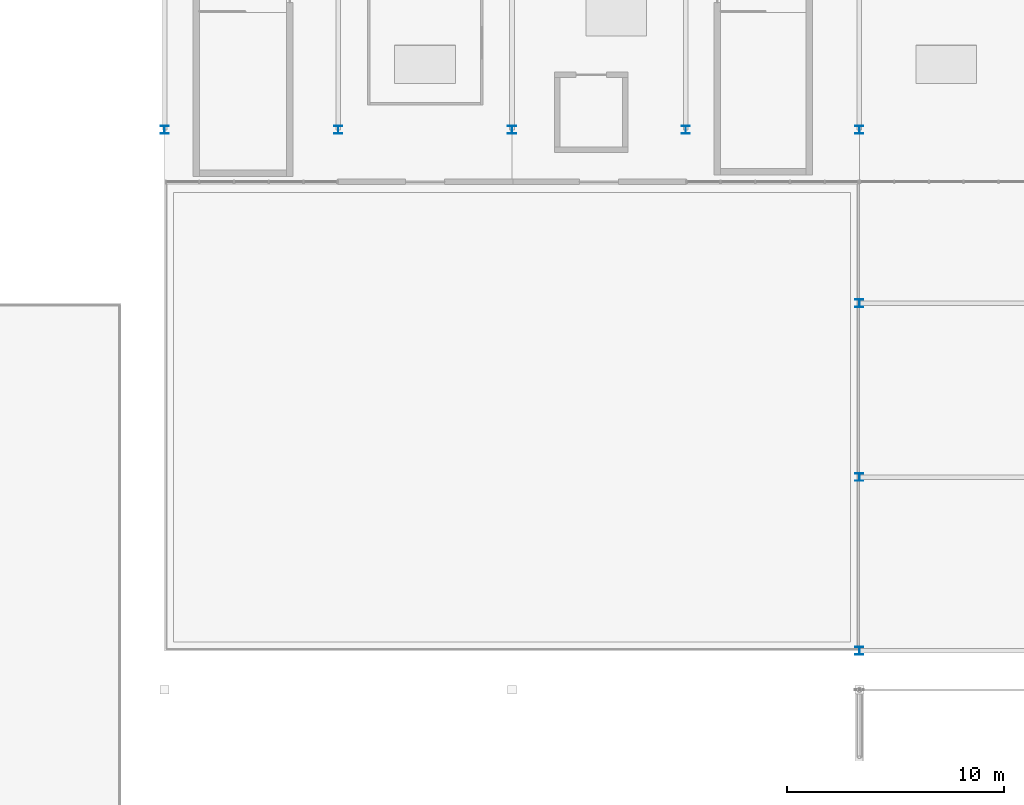
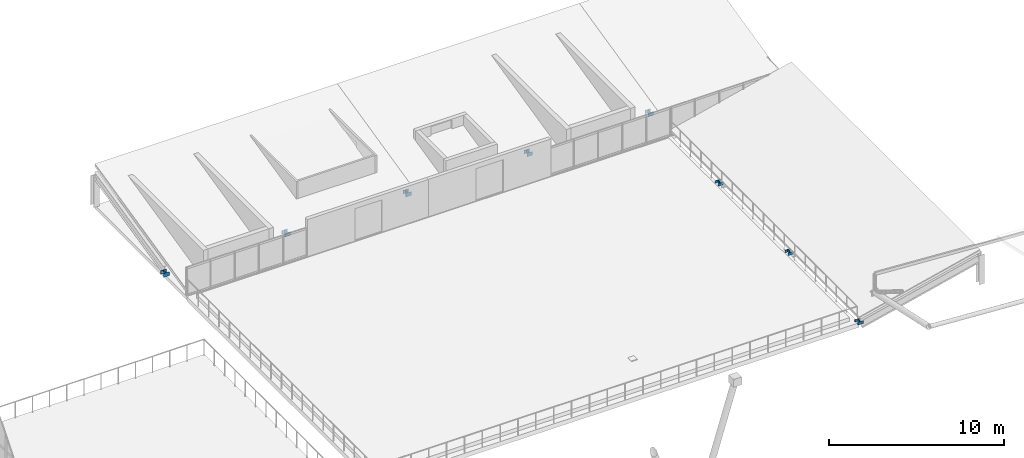
# One storey, part 12 of 83: 8 columns.
"""IFC4 building model written with IfcOpenShell, lengths in metres."""

from ifc_helpers import new_model, si_unit, direction, frame, origin, origin_2d, place, context, subcontext, project, spatial, i_section, extrude, material, material_profile, profile_set, type_object, element, save


model = new_model("IFC4")

# Units and contexts
model_context = context("Model", 3, precision=1e-05, world=origin(), true_north=direction((0.0, 1.0)))
body_context = subcontext(model_context, "Body", "Model", "MODEL_VIEW")
ifc_project = project(units=[si_unit("LENGTHUNIT", "METRE"), si_unit("AREAUNIT", "SQUARE_METRE"), si_unit("VOLUMEUNIT", "CUBIC_METRE"), si_unit("PLANEANGLEUNIT", "RADIAN"), si_unit("MASSUNIT", "GRAM", prefix="KILO")], contexts=[model_context])

# Site, building, storey
site_placement = place(None, origin())
site = spatial("IfcSite", under=ifc_project, at=site_placement, CompositionType="ELEMENT")
building_placement = place(site_placement, origin())
building = spatial("IfcBuilding", under=site, at=building_placement, Name="Drelvath Fold Interchange", CompositionType="ELEMENT")
storey_placement = place(building_placement, frame((0.0, 0.0, 11.199951171875)))
storey = spatial("IfcBuildingStorey", under=building, at=storey_placement, Name="L02", CompositionType="ELEMENT", Elevation=11.199951171875)

# Columns
ifc_material = material(Name="Steel ASTM A992 Grade 50", Category="steel")
ifc_material_profile = material_profile(ifc_material, i_section(OverallWidth=0.368896484375, OverallDepth=0.35595703125, WebThickness=0.01123046875, FlangeThickness=0.01806640625, at=origin_2d()), Name="W14X90")
ifc_profile_set = profile_set([ifc_material_profile], Name="Steel ASTM A992 Grade 50")
column_type = type_object("IfcColumnType", Name="COL-W14X90", PredefinedType="COLUMN", material=ifc_profile_set)
for number, where, z_axis, x_axis, name in (
    (1, (102.0, 99.0, 0.0), (0.0, 0.0, 1.0), (1.0, 0.0, 0.0), "L02 column (102,99)"),
    (2, (110.0, 99.0, 0.0), (0.0, 0.0, 1.0), (1.0, 0.0, 0.0), "L02 column (110,99)"),
    (3, (118.0, 99.0, 0.0), (0.0, 0.0, 1.0), (1.0, 0.0, 0.0), "L02 column (118,99)"),
    (4, (126.0, 99.0, 0.0), (0.0, 0.0, 1.0), (1.0, 0.0, 0.0), "L02 column (126,99)"),
    (5, (134.0, 99.0, 0.0), (0.0, 0.0, 1.0), (1.0, 0.0, 0.0), "L02 column (134,99)"),
):
    element("IfcColumn", number, at=place(storey_placement, frame(where, z_axis=z_axis, x_axis=x_axis)), inside=storey, type_object=column_type, Name=name, PredefinedType="COLUMN", context=body_context, shape_type="SweptSolid", body=[
        extrude(i_section(OverallWidth=0.368896484375, OverallDepth=0.35595703125, WebThickness=0.01123046875, FlangeThickness=0.01806640625, at=origin_2d()), origin(), (0.0, 0.0, 1.0), 0.25),
    ])
for number, where, z_axis, x_axis, name in (
    (6, (134.0, 75.0, 0.0), (0.0, 0.0, 1.0), (1.0, 0.0, 0.0), "L02 east sawtooth column (134,75)"),
    (7, (134.0, 83.0, 0.0), (0.0, 0.0, 1.0), (1.0, 0.0, 0.0), "L02 east sawtooth column (134,83)"),
    (8, (134.0, 91.0, 0.0), (0.0, 0.0, 1.0), (1.0, 0.0, 0.0), "L02 east sawtooth column (134,91)"),
):
    element("IfcColumn", number, at=place(storey_placement, frame(where, z_axis=z_axis, x_axis=x_axis)), inside=storey, type_object=column_type, Name=name, PredefinedType="COLUMN", context=body_context, shape_type="SweptSolid", body=[
        extrude(i_section(OverallWidth=0.368896484375, OverallDepth=0.35595703125, WebThickness=0.01123046875, FlangeThickness=0.01806640625, at=origin_2d()), origin(), (0.0, 0.0, 1.0), 0.18505859375),
    ])

save(model, "model.ifc")
